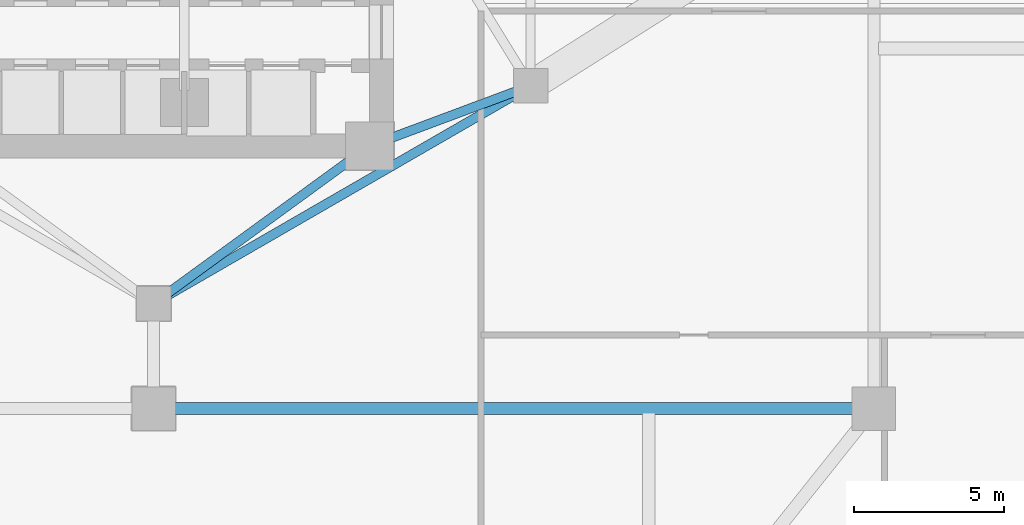
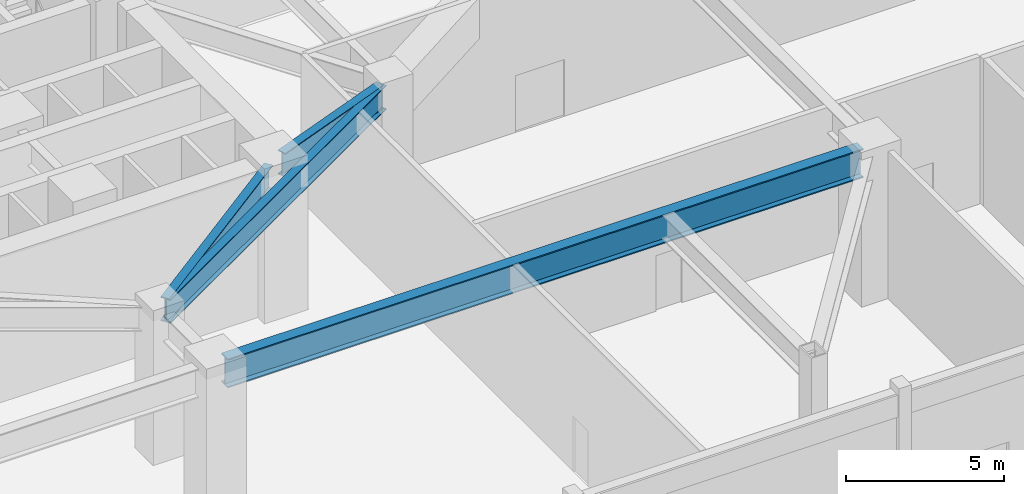
# One storey, part 3 of 24: 4 beams.
"""IFC4 building model written with IfcOpenShell, lengths in metres."""

from ifc_helpers import new_model, si_unit, direction, frame, origin, origin_2d, place, context, subcontext, project, spatial, i_section, extrude, material, material_profile, profile_set, type_object, element, save


model = new_model("IFC4")

# Units and contexts
model_context = context("Model", 3, precision=1e-05, world=origin(), true_north=direction((0.0, 1.0)))
body_context = subcontext(model_context, "Body", "Model", "MODEL_VIEW")
ifc_project = project(units=[si_unit("LENGTHUNIT", "METRE"), si_unit("AREAUNIT", "SQUARE_METRE"), si_unit("VOLUMEUNIT", "CUBIC_METRE"), si_unit("PLANEANGLEUNIT", "RADIAN"), si_unit("MASSUNIT", "GRAM", prefix="KILO")], contexts=[model_context])

# Site, building, storey
site_placement = place(None, origin())
site = spatial("IfcSite", under=ifc_project, at=site_placement, CompositionType="ELEMENT")
building_placement = place(site_placement, origin())
building = spatial("IfcBuilding", under=site, at=building_placement, Name="Apsidion Concourse Tower", CompositionType="ELEMENT")
storey_placement = place(building_placement, origin())
storey = spatial("IfcBuildingStorey", under=building, at=storey_placement, Name="L00", CompositionType="ELEMENT", Elevation=0.0)

# Beams
ifc_material = material(Name="Structural steel ASTM A992 Grade 50", Category="steel")
ifc_material_profile_1 = material_profile(ifc_material, i_section(OverallWidth=0.31005859375, OverallDepth=0.931884765625, WebThickness=0.02099609375, FlangeThickness=0.034423828125, at=origin_2d()), Name="W36X210")
ifc_profile_set_1 = profile_set([ifc_material_profile_1], Name="Structural steel ASTM A992 Grade 50")
beam_type_1 = type_object("IfcBeamType", Name="BM-G-W36", PredefinedType="USERDEFINED", material=ifc_profile_set_1)
beam_1_placement = place(storey_placement, frame((12.185302734375, -7.389892578125, 5.23388671875), z_axis=(-0.936913021145, -0.349562570664, 0.0), x_axis=(0.349562570664, -0.936913021145, 0.0)))
element("IfcBeam", 1, at=beam_1_placement, inside=storey, type_object=beam_type_1, Name="L00 Core Coupling Girder IC2-SC2", ObjectType="GIRDER", PredefinedType="USERDEFINED", context=body_context, shape_type="SweptSolid", body=[
    extrude(i_section(OverallWidth=0.31005859375, OverallDepth=0.931884765625, WebThickness=0.02099609375, FlangeThickness=0.034423828125, at=origin_2d()), origin(), (0.0, 0.0, 1.0), 4.921142578125),
])
beam_2_placement = place(storey_placement, frame((0.3232421875, -14.264404296875, 5.23388671875), z_axis=(0.807993498909, 0.589191399905, 0.0), x_axis=(-0.589191399905, 0.807993498909, 0.0)))
element("IfcBeam", 2, at=beam_2_placement, inside=storey, type_object=beam_type_1, Name="L00 Core Coupling Girder IC6-SC2", ObjectType="GIRDER", PredefinedType="USERDEFINED", context=body_context, shape_type="SweptSolid", body=[
    extrude(i_section(OverallWidth=0.31005859375, OverallDepth=0.931884765625, WebThickness=0.02099609375, FlangeThickness=0.034423828125, at=origin_2d()), origin(), (0.0, 0.0, 1.0), 8.11083984375),
])
beam_3_placement = place(storey_placement, frame((12.213623046875, -7.449951171875, 5.23388671875), z_axis=(-0.866070471464, -0.499921932364, 0.0), x_axis=(0.499921932364, -0.866070471464, 0.0)))
element("IfcBeam", 3, at=beam_3_placement, inside=storey, type_object=beam_type_1, Name="L00 Core Coupling Girder IC2-IC6", ObjectType="GIRDER", PredefinedType="USERDEFINED", context=body_context, shape_type="SweptSolid", body=[
    extrude(i_section(OverallWidth=0.31005859375, OverallDepth=0.931884765625, WebThickness=0.02099609375, FlangeThickness=0.034423828125, at=origin_2d()), origin(), (0.0, 0.0, 1.0), 13.702392578125),
])
ifc_material_profile_2 = material_profile(ifc_material, i_section(OverallWidth=0.405029296875, OverallDepth=1.117919921875, WebThickness=0.026123046875, FlangeThickness=0.044921875, at=origin_2d()), Name="W44X335")
ifc_profile_set_2 = profile_set([ifc_material_profile_2], Name="Structural steel ASTM A992 Grade 50")
beam_type_2 = type_object("IfcBeamType", Name="BM-G-W44", PredefinedType="USERDEFINED", material=ifc_profile_set_2)
beam_4_placement = place(storey_placement, frame((0.35009765625, -18.0, 5.14111328125), z_axis=(1.0, 0.0, 0.0), x_axis=(0.0, 1.0, 0.0)))
element("IfcBeam", 4, at=beam_4_placement, inside=storey, type_object=beam_type_2, Name="L00 Podium Girder MC7-MC2", ObjectType="GIRDER", PredefinedType="USERDEFINED", context=body_context, shape_type="SweptSolid", body=[
    extrude(i_section(OverallWidth=0.405029296875, OverallDepth=1.117919921875, WebThickness=0.026123046875, FlangeThickness=0.044921875, at=origin_2d()), origin(), (0.0, 0.0, 1.0), 23.2998046875),
])

save(model, "model.ifc")
